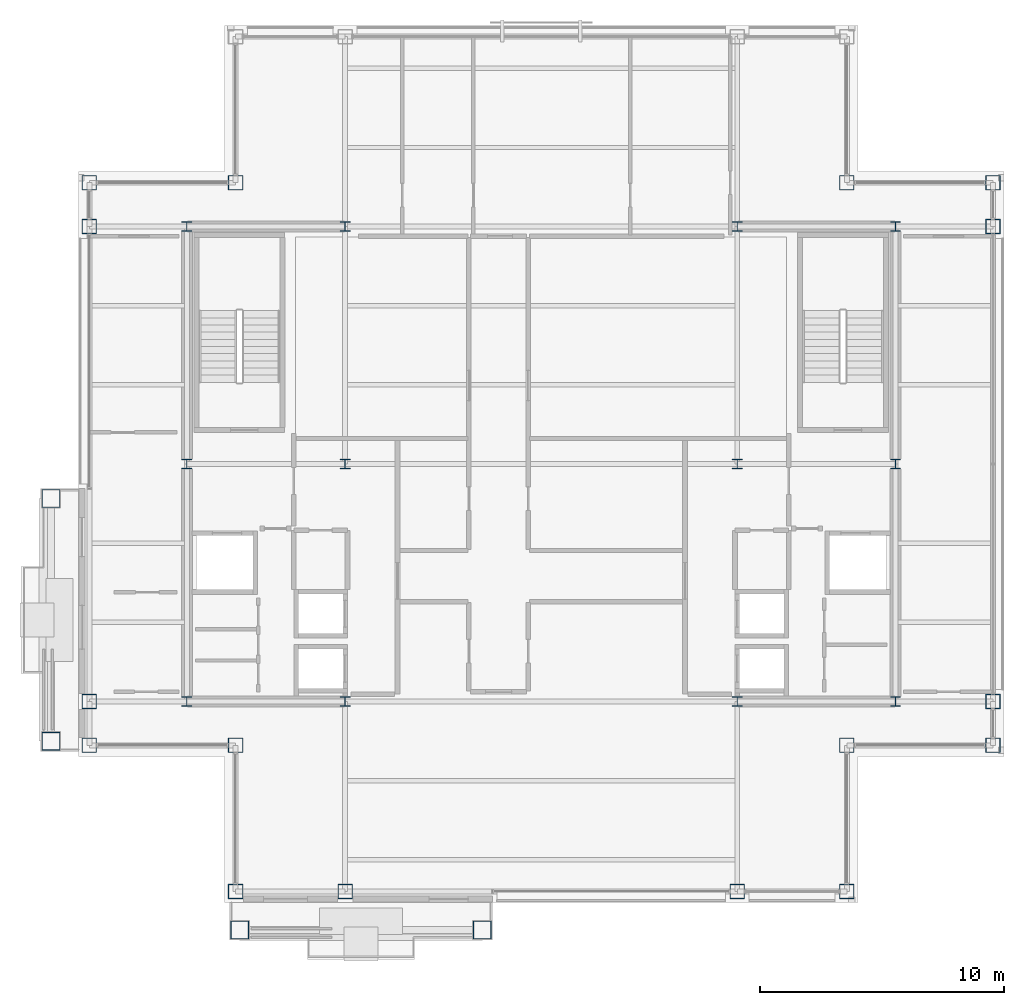
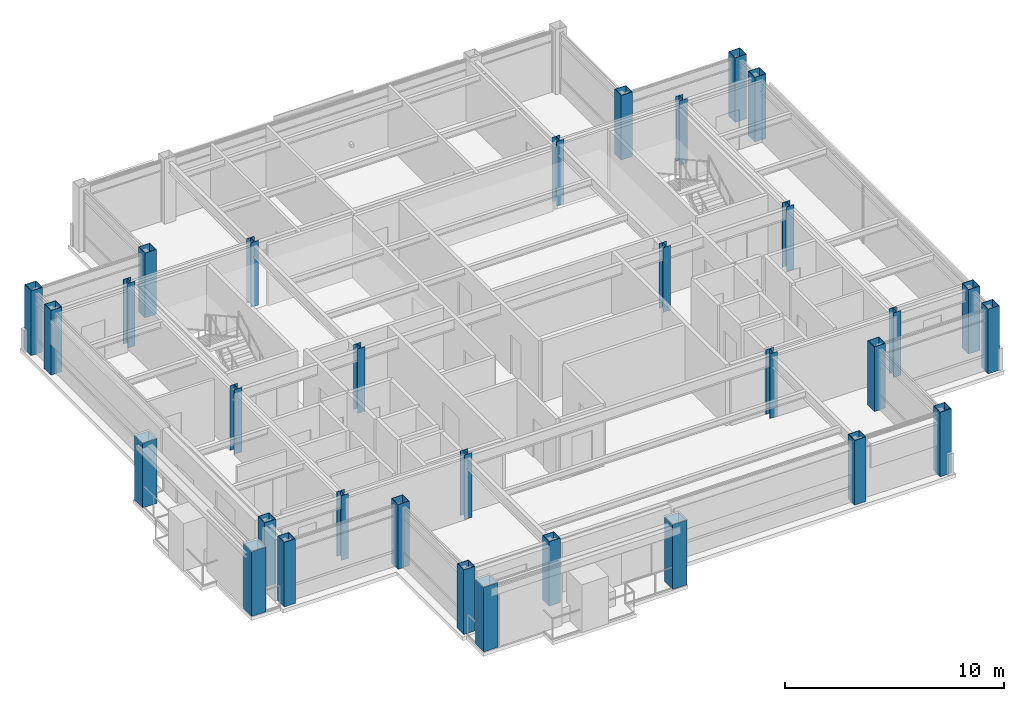
# One storey, part 1 of 28: 32 columns.
"""IFC4 building model written with IfcOpenShell, lengths in metres."""

from ifc_helpers import new_model, si_unit, direction, frame, origin, origin_2d, place, context, subcontext, project, spatial, hollow_rectangle, i_section, extrude, material, material_profile, profile_set, type_object, element, save


model = new_model("IFC4")

# Units and contexts
model_context = context("Model", 3, precision=1e-05, world=origin(), true_north=direction((0.0, 1.0)))
body_context = subcontext(model_context, "Body", "Model", "MODEL_VIEW")
ifc_project = project(units=[si_unit("LENGTHUNIT", "METRE"), si_unit("AREAUNIT", "SQUARE_METRE"), si_unit("VOLUMEUNIT", "CUBIC_METRE"), si_unit("PLANEANGLEUNIT", "RADIAN"), si_unit("MASSUNIT", "GRAM", prefix="KILO")], contexts=[model_context])

# Site, building, storey
site_placement = place(None, origin())
site = spatial("IfcSite", under=ifc_project, at=site_placement, CompositionType="ELEMENT")
building_placement = place(site_placement, origin())
building = spatial("IfcBuilding", under=site, at=building_placement, Name="Brelmoor Portico Tower", CompositionType="ELEMENT")
storey_placement = place(building_placement, frame((0.0, 0.0, 265.199951171875)))
storey = spatial("IfcBuildingStorey", under=building, at=storey_placement, Name="L70", CompositionType="ELEMENT", Elevation=265.199951171875)

# Columns
ifc_material = material(Name="Steel Q355B", Category="steel")
ifc_material_profile_1 = material_profile(ifc_material, hollow_rectangle(XDim=0.60009765625, YDim=0.60009765625, WallThickness=0.02490234375, at=origin_2d()), Name="BOX 600x600x25")
ifc_profile_set_1 = profile_set([ifc_material_profile_1], Name="Steel Q355B")
column_type_1 = type_object("IfcColumnType", Name="COL-MEGA-600", PredefinedType="COLUMN", material=ifc_profile_set_1)
for number, where, z_axis, x_axis, name in (
    (1, (-12.550048828125, -17.550048828125, 0.0), (0.0, 0.0, 1.0), (1.0, 0.0, 0.0), "L70 Perimeter Mega-Column PS01"),
    (2, (-8.050048828125, -17.550048828125, 0.0), (0.0, 0.0, 1.0), (1.0, 0.0, 0.0), "L70 Perimeter Mega-Column PS02"),
    (3, (8.050048828125, -17.550048828125, 0.0), (0.0, 0.0, 1.0), (1.0, 0.0, 0.0), "L70 Perimeter Mega-Column PS03"),
    (4, (12.550048828125, -17.550048828125, 0.0), (0.0, 0.0, 1.0), (1.0, 0.0, 0.0), "L70 Perimeter Mega-Column PS04"),
    (5, (-18.550048828125, -11.550048828125, 0.0), (0.0, 0.0, 1.0), (0.0, 1.0, 0.0), "L70 Perimeter Mega-Column PW01"),
    (6, (-18.550048828125, -9.75, 0.0), (0.0, 0.0, 1.0), (0.0, 1.0, 0.0), "L70 Perimeter Mega-Column PW02"),
    (7, (-18.550048828125, 9.75, 0.0), (0.0, 0.0, 1.0), (0.0, 1.0, 0.0), "L70 Perimeter Mega-Column PW03"),
    (8, (-18.550048828125, 11.550048828125, 0.0), (0.0, 0.0, 1.0), (0.0, 1.0, 0.0), "L70 Perimeter Mega-Column PW04"),
    (9, (18.550048828125, -11.550048828125, 0.0), (0.0, 0.0, 1.0), (0.0, 1.0, 0.0), "L70 Perimeter Mega-Column PE01"),
    (10, (18.550048828125, -9.75, 0.0), (0.0, 0.0, 1.0), (0.0, 1.0, 0.0), "L70 Perimeter Mega-Column PE02"),
    (11, (18.550048828125, 9.75, 0.0), (0.0, 0.0, 1.0), (0.0, 1.0, 0.0), "L70 Perimeter Mega-Column PE03"),
    (12, (18.550048828125, 11.550048828125, 0.0), (0.0, 0.0, 1.0), (0.0, 1.0, 0.0), "L70 Perimeter Mega-Column PE04"),
    (13, (-12.550048828125, 11.550048828125, 0.0), (0.0, 0.0, 1.0), (1.0, 0.0, 0.0), "L70 Perimeter Mega-Column PC-NW"),
    (14, (12.550048828125, 11.550048828125, 0.0), (0.0, 0.0, 1.0), (1.0, 0.0, 0.0), "L70 Perimeter Mega-Column PC-NE"),
    (15, (12.550048828125, -11.550048828125, 0.0), (0.0, 0.0, 1.0), (1.0, 0.0, 0.0), "L70 Perimeter Mega-Column PC-SE"),
    (16, (-12.550048828125, -11.550048828125, 0.0), (0.0, 0.0, 1.0), (1.0, 0.0, 0.0), "L70 Perimeter Mega-Column PC-SW"),
):
    element("IfcColumn", number, at=place(storey_placement, frame(where, z_axis=z_axis, x_axis=x_axis)), inside=storey, type_object=column_type_1, Name=name, PredefinedType="COLUMN", context=body_context, shape_type="SweptSolid", body=[
        extrude(hollow_rectangle(XDim=0.60009765625, YDim=0.60009765625, WallThickness=0.02490234375, at=origin_2d()), origin(), (0.0, 0.0, 1.0), 3.60009765625),
    ])
ifc_material_profile_2 = material_profile(ifc_material, hollow_rectangle(XDim=0.75, YDim=0.75, WallThickness=0.031982421875, at=origin_2d()), Name="BOX 750x750x32")
ifc_profile_set_2 = profile_set([ifc_material_profile_2], Name="Steel Q355B")
column_type_2 = type_object("IfcColumnType", Name="COL-MEGA-750", PredefinedType="COLUMN", material=ifc_profile_set_2)
for number, where, z_axis, x_axis, name in (
    (17, (-12.3798828125, -19.1298828125, 0.0), (0.0, 0.0, 1.0), (1.0, 0.0, 0.0), "L70 Proud Picture-Frame Pier PFJ-S1"),
    (18, (-2.419921875, -19.1298828125, 0.0), (0.0, 0.0, 1.0), (1.0, 0.0, 0.0), "L70 Proud Picture-Frame Pier PFJ-S2"),
    (19, (-20.1298828125, -11.3798828125, 0.0), (0.0, 0.0, 1.0), (0.0, 1.0, 0.0), "L70 Proud Picture-Frame Pier PFJ-W1"),
    (20, (-20.1298828125, -1.419921875, 0.0), (0.0, 0.0, 1.0), (0.0, 1.0, 0.0), "L70 Proud Picture-Frame Pier PFJ-W2"),
):
    element("IfcColumn", number, at=place(storey_placement, frame(where, z_axis=z_axis, x_axis=x_axis)), inside=storey, type_object=column_type_2, Name=name, PredefinedType="COLUMN", context=body_context, shape_type="SweptSolid", body=[
        extrude(hollow_rectangle(XDim=0.75, YDim=0.75, WallThickness=0.031982421875, at=origin_2d()), origin(), (0.0, 0.0, 1.0), 3.60009765625),
    ])
ifc_material_profile_3 = material_profile(ifc_material, i_section(OverallWidth=0.39990234375, OverallDepth=0.39990234375, WebThickness=0.012939453125, FlangeThickness=0.02099609375, at=origin_2d()), Name="HW 400x400x13x21")
ifc_profile_set_3 = profile_set([ifc_material_profile_3], Name="Steel Q355B")
column_type_3 = type_object("IfcColumnType", Name="COL-SPINE-400", PredefinedType="COLUMN", material=ifc_profile_set_3)
for number, where, z_axis, x_axis, name in (
    (21, (-14.550048828125, -9.75, 0.0), (0.0, 0.0, 1.0), (1.0, 0.0, 0.0), "L70 Core Spine Column CW-SW"),
    (22, (-14.550048828125, 0.0, 0.0), (0.0, 0.0, 1.0), (1.0, 0.0, 0.0), "L70 Core Spine Column CW-MW"),
    (23, (-14.550048828125, 9.75, 0.0), (0.0, 0.0, 1.0), (1.0, 0.0, 0.0), "L70 Core Spine Column CW-NW"),
    (24, (-8.050048828125, -9.75, 0.0), (0.0, 0.0, 1.0), (1.0, 0.0, 0.0), "L70 Core Spine Column CW-SE"),
    (25, (-8.050048828125, 0.0, 0.0), (0.0, 0.0, 1.0), (1.0, 0.0, 0.0), "L70 Core Spine Column CW-ME"),
    (26, (-8.050048828125, 9.75, 0.0), (0.0, 0.0, 1.0), (1.0, 0.0, 0.0), "L70 Core Spine Column CW-NE"),
    (27, (8.050048828125, -9.75, 0.0), (0.0, 0.0, 1.0), (1.0, 0.0, 0.0), "L70 Core Spine Column CE-SW"),
    (28, (8.050048828125, 0.0, 0.0), (0.0, 0.0, 1.0), (1.0, 0.0, 0.0), "L70 Core Spine Column CE-MW"),
    (29, (8.050048828125, 9.75, 0.0), (0.0, 0.0, 1.0), (1.0, 0.0, 0.0), "L70 Core Spine Column CE-NW"),
    (30, (14.550048828125, -9.75, 0.0), (0.0, 0.0, 1.0), (1.0, 0.0, 0.0), "L70 Core Spine Column CE-SE"),
    (31, (14.550048828125, 0.0, 0.0), (0.0, 0.0, 1.0), (1.0, 0.0, 0.0), "L70 Core Spine Column CE-ME"),
    (32, (14.550048828125, 9.75, 0.0), (0.0, 0.0, 1.0), (1.0, 0.0, 0.0), "L70 Core Spine Column CE-NE"),
):
    element("IfcColumn", number, at=place(storey_placement, frame(where, z_axis=z_axis, x_axis=x_axis)), inside=storey, type_object=column_type_3, Name=name, PredefinedType="COLUMN", context=body_context, shape_type="SweptSolid", body=[
        extrude(i_section(OverallWidth=0.39990234375, OverallDepth=0.39990234375, WebThickness=0.012939453125, FlangeThickness=0.02099609375, at=origin_2d()), origin(), (0.0, 0.0, 1.0), 3.60009765625),
    ])

save(model, "model.ifc")
